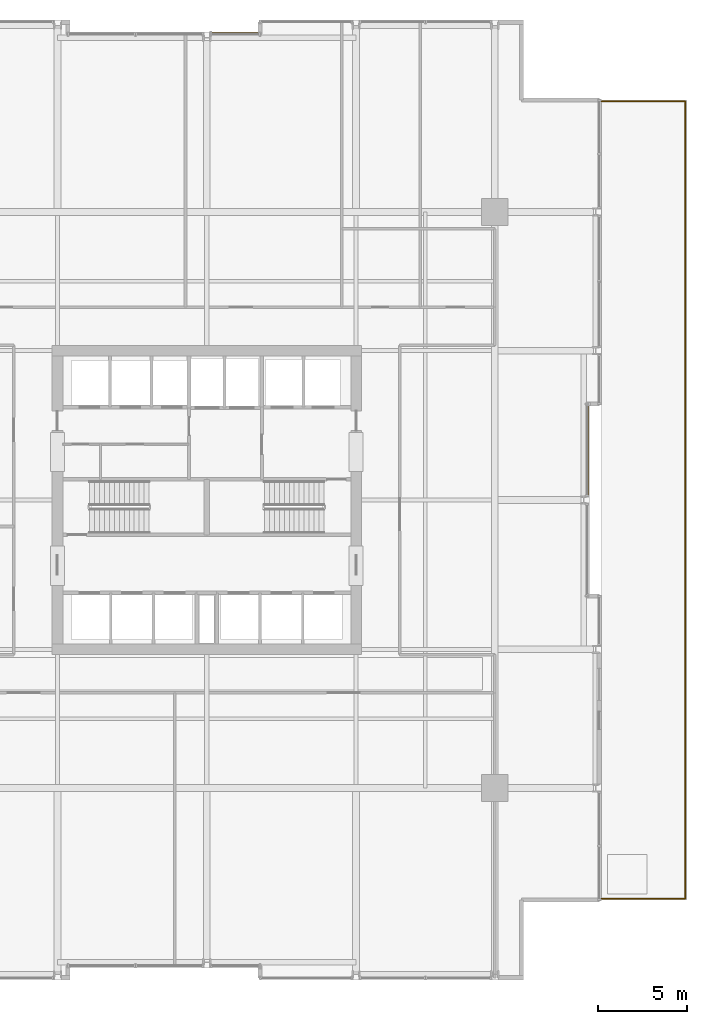
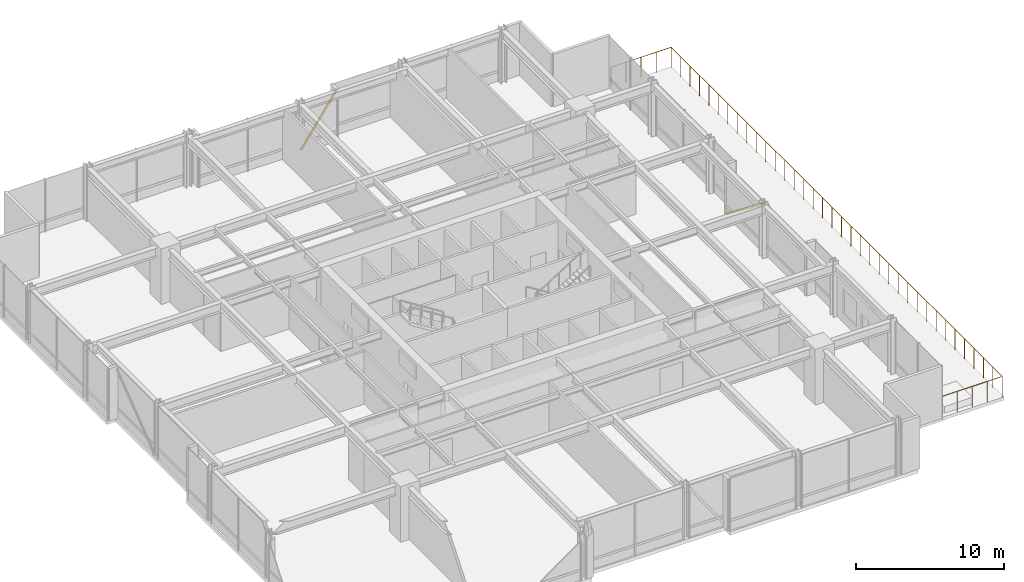
# One storey, part 33 of 33: 2 shading devices, 1 railing.
"""IFC4 building model written with IfcOpenShell, lengths in metres."""

from ifc_helpers import new_model, si_unit, direction, frame, origin, origin_2d, place, context, subcontext, project, spatial, hollow_rectangle, circle, extrude, material, material_profile, profile_set, type_object, element, save


model = new_model("IFC4")

# Units and contexts
model_context = context("Model", 3, precision=1e-05, world=origin(), true_north=direction((0.0, 1.0)))
body_context = subcontext(model_context, "Body", "Model", "MODEL_VIEW")
ifc_project = project(units=[si_unit("LENGTHUNIT", "METRE"), si_unit("AREAUNIT", "SQUARE_METRE"), si_unit("VOLUMEUNIT", "CUBIC_METRE"), si_unit("PLANEANGLEUNIT", "RADIAN"), si_unit("MASSUNIT", "GRAM", prefix="KILO")], contexts=[model_context])

# Site, building, storey
site_placement = place(None, origin())
site = spatial("IfcSite", under=ifc_project, at=site_placement, CompositionType="ELEMENT")
building_placement = place(site_placement, origin())
building = spatial("IfcBuilding", under=site, at=building_placement, Name="Drelvath Grand Hotel", CompositionType="ELEMENT")
storey_placement = place(building_placement, frame((0.0, 0.0, 87.199951171875)))
storey = spatial("IfcBuildingStorey", under=building, at=storey_placement, Name="L21", CompositionType="ELEMENT", Elevation=87.199951171875)

# Shading devices
ifc_material_1 = material(Name="Champagne Bronze Anodised Aluminium", Category="aluminium")
ifc_material_profile = material_profile(ifc_material_1, hollow_rectangle(XDim=0.06494140625, YDim=0.159912109375, WallThickness=0.00390625, at=origin_2d()), Name="HSS160X65X4")
ifc_profile_set = profile_set([ifc_material_profile], Name="Champagne Bronze Anodised Aluminium")
shading_device_type = type_object("IfcShadingDeviceType", Name="Diagonal Solar Fin Champagne Anodised HSS160X65X4", PredefinedType="USERDEFINED", material=ifc_profile_set)
shading_device_1_placement = place(storey_placement, frame((21.47998046875, 32.39990234375, 0.179931640625), z_axis=(0.0, -0.792972561678, 0.609257348274), x_axis=(1.0, 0.0, 0.0)))
element("IfcShadingDevice", 1, at=shading_device_1_placement, inside=storey, type_object=shading_device_type, Name="L21 Diagonal Anodised Fin CW03-L21-EM2", ObjectType="FIN", PredefinedType="USERDEFINED", context=body_context, shape_type="SweptSolid", body=[
    extrude(hollow_rectangle(XDim=0.06494140625, YDim=0.159912109375, WallThickness=0.00390625, at=origin_2d()), origin(), (0.0, 0.0, 1.0), 6.532958984375),
])
shading_device_2_placement = place(storey_placement, frame((0.219482421875, 53.280029296875, 0.179931640625), z_axis=(0.572682516654, 0.0, 0.819777247256), x_axis=(0.0, 1.0, 0.0)))
element("IfcShadingDevice", 2, at=shading_device_2_placement, inside=storey, type_object=shading_device_type, Name="L21 Diagonal Anodised Fin CW03-L21-NM2", ObjectType="FIN", PredefinedType="USERDEFINED", context=body_context, shape_type="SweptSolid", body=[
    extrude(hollow_rectangle(XDim=0.06494140625, YDim=0.159912109375, WallThickness=0.00390625, at=origin_2d()), origin(), (0.0, 0.0, 1.0), 4.855224609375),
])

# Railing
ifc_material_2 = material(Name="Anodised Aluminium and Laminated Glass Balustrade", Category="aluminium")
railing_type = type_object("IfcRailingType", Name="Raised Planter Edge Balustrade 1700", PredefinedType="BALUSTRADE", material=ifc_material_2)
railing_placement = place(storey_placement, frame((22.219970703125, 4.580078125, 0.0)))
element("IfcRailing", 3, at=railing_placement, inside=storey, type_object=railing_type, Name="L21 Setback Terrace Perimeter Balustrade 1", PredefinedType="BALUSTRADE", context=body_context, shape_type="SweptSolid", body=[
    extrude(circle(Radius=0.02392578125, at=origin_2d()), frame((0.0, 0.0, 1.67578125), z_axis=(1.0, 0.0, 0.0), x_axis=(0.0, 1.0, 0.0)), (0.0, 0.0, 1.0), 4.699951171875),
    extrude(circle(Radius=0.02392578125, at=origin_2d()), frame((4.699951171875, 0.0, 1.67578125), z_axis=(0.0, 1.0, 0.0), x_axis=(-1.0, 0.0, 0.0)), (0.0, 0.0, 1.0), 44.83984375),
    extrude(circle(Radius=0.02392578125, at=origin_2d()), frame((4.699951171875, 44.83984375, 1.67578125), z_axis=(-1.0, 0.0, 0.0), x_axis=(0.0, -1.0, 0.0)), (0.0, 0.0, 1.0), 4.699951171875),
    extrude(circle(Radius=0.02099609375, at=origin_2d()), origin(), (0.0, 0.0, 1.0), 1.65185546875),
    extrude(circle(Radius=0.02099609375, at=origin_2d()), frame((1.175048828125, 0.0, 0.0)), (0.0, 0.0, 1.0), 1.65185546875),
    extrude(circle(Radius=0.02099609375, at=origin_2d()), frame((2.35009765625, 0.0, 0.0)), (0.0, 0.0, 1.0), 1.65185546875),
    extrude(circle(Radius=0.02099609375, at=origin_2d()), frame((3.52490234375, 0.0, 0.0)), (0.0, 0.0, 1.0), 1.65185546875),
    extrude(circle(Radius=0.02099609375, at=origin_2d()), frame((4.699951171875, 0.0, 0.0)), (0.0, 0.0, 1.0), 1.65185546875),
    extrude(circle(Radius=0.02099609375, at=origin_2d()), frame((4.699951171875, 1.28125, 0.0)), (0.0, 0.0, 1.0), 1.65185546875),
    extrude(circle(Radius=0.02099609375, at=origin_2d()), frame((4.699951171875, 2.562255859375, 0.0)), (0.0, 0.0, 1.0), 1.65185546875),
    extrude(circle(Radius=0.02099609375, at=origin_2d()), frame((4.699951171875, 3.843505859375, 0.0)), (0.0, 0.0, 1.0), 1.65185546875),
    extrude(circle(Radius=0.02099609375, at=origin_2d()), frame((4.699951171875, 5.12451171875, 0.0)), (0.0, 0.0, 1.0), 1.65185546875),
    extrude(circle(Radius=0.02099609375, at=origin_2d()), frame((4.699951171875, 6.40576171875, 0.0)), (0.0, 0.0, 1.0), 1.65185546875),
    extrude(circle(Radius=0.02099609375, at=origin_2d()), frame((4.699951171875, 7.686767578125, 0.0)), (0.0, 0.0, 1.0), 1.65185546875),
    extrude(circle(Radius=0.02099609375, at=origin_2d()), frame((4.699951171875, 8.968017578125, 0.0)), (0.0, 0.0, 1.0), 1.65185546875),
    extrude(circle(Radius=0.02099609375, at=origin_2d()), frame((4.699951171875, 10.2490234375, 0.0)), (0.0, 0.0, 1.0), 1.65185546875),
    extrude(circle(Radius=0.02099609375, at=origin_2d()), frame((4.699951171875, 11.5302734375, 0.0)), (0.0, 0.0, 1.0), 1.65185546875),
    extrude(circle(Radius=0.02099609375, at=origin_2d()), frame((4.699951171875, 12.811279296875, 0.0)), (0.0, 0.0, 1.0), 1.65185546875),
    extrude(circle(Radius=0.02099609375, at=origin_2d()), frame((4.699951171875, 14.092529296875, 0.0)), (0.0, 0.0, 1.0), 1.65185546875),
    extrude(circle(Radius=0.02099609375, at=origin_2d()), frame((4.699951171875, 15.373779296875, 0.0)), (0.0, 0.0, 1.0), 1.65185546875),
    extrude(circle(Radius=0.02099609375, at=origin_2d()), frame((4.699951171875, 16.65478515625, 0.0)), (0.0, 0.0, 1.0), 1.65185546875),
    extrude(circle(Radius=0.02099609375, at=origin_2d()), frame((4.699951171875, 17.93603515625, 0.0)), (0.0, 0.0, 1.0), 1.65185546875),
    extrude(circle(Radius=0.02099609375, at=origin_2d()), frame((4.699951171875, 19.217041015625, 0.0)), (0.0, 0.0, 1.0), 1.65185546875),
    extrude(circle(Radius=0.02099609375, at=origin_2d()), frame((4.699951171875, 20.498291015625, 0.0)), (0.0, 0.0, 1.0), 1.65185546875),
    extrude(circle(Radius=0.02099609375, at=origin_2d()), frame((4.699951171875, 21.779296875, 0.0)), (0.0, 0.0, 1.0), 1.65185546875),
    extrude(circle(Radius=0.02099609375, at=origin_2d()), frame((4.699951171875, 23.060546875, 0.0)), (0.0, 0.0, 1.0), 1.65185546875),
    extrude(circle(Radius=0.02099609375, at=origin_2d()), frame((4.699951171875, 24.341552734375, 0.0)), (0.0, 0.0, 1.0), 1.65185546875),
    extrude(circle(Radius=0.02099609375, at=origin_2d()), frame((4.699951171875, 25.622802734375, 0.0)), (0.0, 0.0, 1.0), 1.65185546875),
    extrude(circle(Radius=0.02099609375, at=origin_2d()), frame((4.699951171875, 26.90380859375, 0.0)), (0.0, 0.0, 1.0), 1.65185546875),
    extrude(circle(Radius=0.02099609375, at=origin_2d()), frame((4.699951171875, 28.18505859375, 0.0)), (0.0, 0.0, 1.0), 1.65185546875),
    extrude(circle(Radius=0.02099609375, at=origin_2d()), frame((4.699951171875, 29.466064453125, 0.0)), (0.0, 0.0, 1.0), 1.65185546875),
    extrude(circle(Radius=0.02099609375, at=origin_2d()), frame((4.699951171875, 30.747314453125, 0.0)), (0.0, 0.0, 1.0), 1.65185546875),
    extrude(circle(Radius=0.02099609375, at=origin_2d()), frame((4.699951171875, 32.028564453125, 0.0)), (0.0, 0.0, 1.0), 1.65185546875),
    extrude(circle(Radius=0.02099609375, at=origin_2d()), frame((4.699951171875, 33.3095703125, 0.0)), (0.0, 0.0, 1.0), 1.65185546875),
    extrude(circle(Radius=0.02099609375, at=origin_2d()), frame((4.699951171875, 34.5908203125, 0.0)), (0.0, 0.0, 1.0), 1.65185546875),
    extrude(circle(Radius=0.02099609375, at=origin_2d()), frame((4.699951171875, 35.871826171875, 0.0)), (0.0, 0.0, 1.0), 1.65185546875),
    extrude(circle(Radius=0.02099609375, at=origin_2d()), frame((4.699951171875, 37.153076171875, 0.0)), (0.0, 0.0, 1.0), 1.65185546875),
    extrude(circle(Radius=0.02099609375, at=origin_2d()), frame((4.699951171875, 38.43408203125, 0.0)), (0.0, 0.0, 1.0), 1.65185546875),
    extrude(circle(Radius=0.02099609375, at=origin_2d()), frame((4.699951171875, 39.71533203125, 0.0)), (0.0, 0.0, 1.0), 1.65185546875),
    extrude(circle(Radius=0.02099609375, at=origin_2d()), frame((4.699951171875, 40.996337890625, 0.0)), (0.0, 0.0, 1.0), 1.65185546875),
    extrude(circle(Radius=0.02099609375, at=origin_2d()), frame((4.699951171875, 42.277587890625, 0.0)), (0.0, 0.0, 1.0), 1.65185546875),
    extrude(circle(Radius=0.02099609375, at=origin_2d()), frame((4.699951171875, 43.55859375, 0.0)), (0.0, 0.0, 1.0), 1.65185546875),
    extrude(circle(Radius=0.02099609375, at=origin_2d()), frame((4.699951171875, 44.83984375, 0.0)), (0.0, 0.0, 1.0), 1.65185546875),
    extrude(circle(Radius=0.02099609375, at=origin_2d()), frame((3.52490234375, 44.83984375, 0.0)), (0.0, 0.0, 1.0), 1.65185546875),
    extrude(circle(Radius=0.02099609375, at=origin_2d()), frame((2.35009765625, 44.83984375, 0.0)), (0.0, 0.0, 1.0), 1.65185546875),
    extrude(circle(Radius=0.02099609375, at=origin_2d()), frame((1.175048828125, 44.83984375, 0.0)), (0.0, 0.0, 1.0), 1.65185546875),
    extrude(circle(Radius=0.02099609375, at=origin_2d()), frame((0.0, 44.83984375, 0.0)), (0.0, 0.0, 1.0), 1.65185546875),
])

save(model, "model.ifc")
